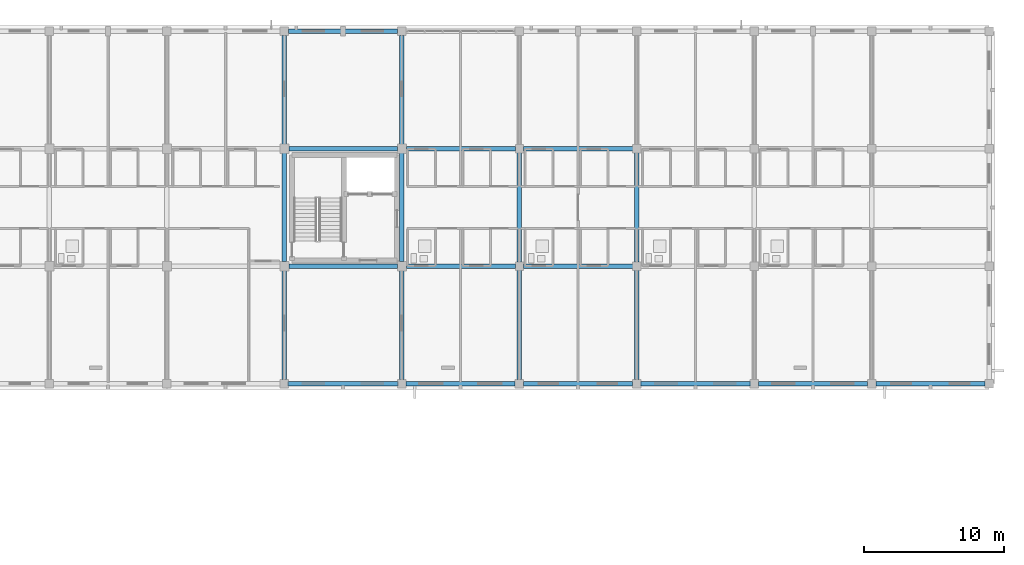
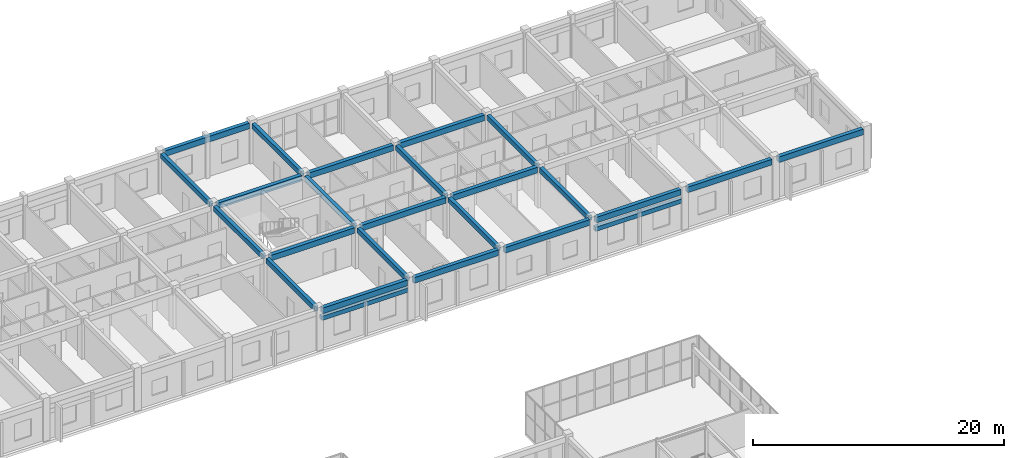
# One storey, part 49 of 81: 25 beams.
"""IFC4 building model written with IfcOpenShell, lengths in metres."""

from ifc_helpers import new_model, si_unit, direction, frame, origin, origin_2d, place, context, subcontext, project, spatial, rectangle, extrude, material, material_profile, profile_set, type_object, element, save


model = new_model("IFC4")

# Units and contexts
model_context = context("Model", 3, precision=1e-05, world=origin(), true_north=direction((0.0, 1.0)))
body_context = subcontext(model_context, "Body", "Model", "MODEL_VIEW")
ifc_project = project(units=[si_unit("LENGTHUNIT", "METRE"), si_unit("AREAUNIT", "SQUARE_METRE"), si_unit("VOLUMEUNIT", "CUBIC_METRE"), si_unit("PLANEANGLEUNIT", "RADIAN"), si_unit("MASSUNIT", "GRAM", prefix="KILO")], contexts=[model_context])

# Site, building, storey
site_placement = place(None, origin())
site = spatial("IfcSite", under=ifc_project, at=site_placement, CompositionType="ELEMENT")
building_placement = place(site_placement, origin())
building = spatial("IfcBuilding", under=site, at=building_placement, Name="Trelvath General Hospital", CompositionType="ELEMENT")
storey_placement = place(building_placement, frame((0.0, 0.0, 24.60009765625)))
storey = spatial("IfcBuildingStorey", under=building, at=storey_placement, Name="L06", CompositionType="ELEMENT", Elevation=24.60009765625)

# Beams
ifc_material_1 = material(Name="Concrete C35/45", Category="concrete")
ifc_material_profile_1 = material_profile(ifc_material_1, rectangle(XDim=0.320068359375, YDim=0.47998046875, at=origin_2d()), Name="RCB320x480")
ifc_profile_set_1 = profile_set([ifc_material_profile_1], Name="Concrete C35/45")
beam_type_1 = type_object("IfcBeamType", Name="Beam RC320x480", PredefinedType="BEAM", material=ifc_profile_set_1)
beam_1_placement = place(storey_placement, frame((84.0, 92.705078125, 3.679931640625), z_axis=(0.0, 1.0, 0.0), x_axis=(-1.0, 0.0, 0.0)))
element("IfcBeam", 1, at=beam_1_placement, inside=storey, type_object=beam_type_1, Name="Grid Beam BY-610L", PredefinedType="BEAM", context=body_context, shape_type="SweptSolid", body=[
    extrude(rectangle(XDim=0.320068359375, YDim=0.47998046875, at=origin_2d()), origin(), (0.0, 0.0, 1.0), 7.77490234375),
])
beam_2_placement = place(storey_placement, frame((84.0, 101.1201171875, 3.679931640625), z_axis=(0.0, 1.0, 0.0), x_axis=(-1.0, 0.0, 0.0)))
element("IfcBeam", 2, at=beam_2_placement, inside=storey, type_object=beam_type_1, Name="Grid Beam BY-610M", PredefinedType="BEAM", context=body_context, shape_type="SweptSolid", body=[
    extrude(rectangle(XDim=0.320068359375, YDim=0.47998046875, at=origin_2d()), origin(), (0.0, 0.0, 1.0), 7.759765625),
])
for number, where, z_axis, x_axis, name in (
    (3, (84.0, 109.52001953125, 3.679931640625), (0.0, 1.0, 0.0), (-1.0, 0.0, 0.0), "Grid Beam BY-610N"),
    (4, (92.39990234375, 92.705078125, 3.679931640625), (0.0, 1.0, 0.0), (-1.0, 0.0, 0.0), "Grid Beam BY-611L"),
):
    element("IfcBeam", number, at=place(storey_placement, frame(where, z_axis=z_axis, x_axis=x_axis)), inside=storey, type_object=beam_type_1, Name=name, PredefinedType="BEAM", context=body_context, shape_type="SweptSolid", body=[
        extrude(rectangle(XDim=0.320068359375, YDim=0.47998046875, at=origin_2d()), origin(), (0.0, 0.0, 1.0), 7.77490234375),
    ])
beam_3_placement = place(storey_placement, frame((92.39990234375, 101.1201171875, 3.679931640625), z_axis=(0.0, 1.0, 0.0), x_axis=(-1.0, 0.0, 0.0)))
element("IfcBeam", 5, at=beam_3_placement, inside=storey, type_object=beam_type_1, Name="Grid Beam BY-611M", PredefinedType="BEAM", context=body_context, shape_type="SweptSolid", body=[
    extrude(rectangle(XDim=0.320068359375, YDim=0.47998046875, at=origin_2d()), origin(), (0.0, 0.0, 1.0), 7.759765625),
])
beam_4_placement = place(storey_placement, frame((92.39990234375, 109.52001953125, 3.679931640625), z_axis=(0.0, 1.0, 0.0), x_axis=(-1.0, 0.0, 0.0)))
element("IfcBeam", 6, at=beam_4_placement, inside=storey, type_object=beam_type_1, Name="Grid Beam BY-611N", PredefinedType="BEAM", context=body_context, shape_type="SweptSolid", body=[
    extrude(rectangle(XDim=0.320068359375, YDim=0.47998046875, at=origin_2d()), origin(), (0.0, 0.0, 1.0), 7.77490234375),
])
beam_5_placement = place(storey_placement, frame((100.800048828125, 92.705078125, 3.679931640625), z_axis=(0.0, 1.0, 0.0), x_axis=(-1.0, 0.0, 0.0)))
element("IfcBeam", 7, at=beam_5_placement, inside=storey, type_object=beam_type_1, Name="Grid Beam BY-612L", PredefinedType="BEAM", context=body_context, shape_type="SweptSolid", body=[
    extrude(rectangle(XDim=0.320068359375, YDim=0.47998046875, at=origin_2d()), origin(), (0.0, 0.0, 1.0), 7.809814453125),
])
beam_6_placement = place(storey_placement, frame((100.800048828125, 101.0849609375, 3.679931640625), z_axis=(0.0, 1.0, 0.0), x_axis=(-1.0, 0.0, 0.0)))
element("IfcBeam", 8, at=beam_6_placement, inside=storey, type_object=beam_type_1, Name="Grid Beam BY-612M", PredefinedType="BEAM", context=body_context, shape_type="SweptSolid", body=[
    extrude(rectangle(XDim=0.320068359375, YDim=0.47998046875, at=origin_2d()), origin(), (0.0, 0.0, 1.0), 7.830078125),
])
beam_7_placement = place(storey_placement, frame((109.199951171875, 92.705078125, 3.679931640625), z_axis=(0.0, 1.0, 0.0), x_axis=(-1.0, 0.0, 0.0)))
element("IfcBeam", 9, at=beam_7_placement, inside=storey, type_object=beam_type_1, Name="Grid Beam BY-613L", PredefinedType="BEAM", context=body_context, shape_type="SweptSolid", body=[
    extrude(rectangle(XDim=0.320068359375, YDim=0.47998046875, at=origin_2d()), origin(), (0.0, 0.0, 1.0), 7.809814453125),
])
beam_8_placement = place(storey_placement, frame((109.199951171875, 101.0849609375, 3.679931640625), z_axis=(0.0, 1.0, 0.0), x_axis=(-1.0, 0.0, 0.0)))
element("IfcBeam", 10, at=beam_8_placement, inside=storey, type_object=beam_type_1, Name="Grid Beam BY-613M", PredefinedType="BEAM", context=body_context, shape_type="SweptSolid", body=[
    extrude(rectangle(XDim=0.320068359375, YDim=0.47998046875, at=origin_2d()), origin(), (0.0, 0.0, 1.0), 7.830078125),
])
ifc_material_2 = material(Name="Concrete C35/45", Category="concrete")
ifc_material_profile_2 = material_profile(ifc_material_2, rectangle(XDim=0.35009765625, YDim=0.550048828125, at=origin_2d()), Name="RCB350x550")
ifc_profile_set_2 = profile_set([ifc_material_profile_2], Name="Concrete C35/45")
beam_type_2 = type_object("IfcBeamType", Name="Beam RC350x550", PredefinedType="BEAM", material=ifc_profile_set_2)
beam_9_placement = place(storey_placement, frame((84.304931640625, 92.39990234375, 3.64501953125), z_axis=(1.0, 0.0, 0.0), x_axis=(0.0, 1.0, 0.0)))
element("IfcBeam", 11, at=beam_9_placement, inside=storey, type_object=beam_type_2, Name="Grid Beam BX-610L", PredefinedType="BEAM", context=body_context, shape_type="SweptSolid", body=[
    extrude(rectangle(XDim=0.35009765625, YDim=0.550048828125, at=origin_2d()), origin(), (0.0, 0.0, 1.0), 7.7900390625),
])
for number, where, z_axis, x_axis, name in (
    (12, (84.320068359375, 100.800048828125, 3.64501953125), (1.0, 0.0, 0.0), (0.0, 1.0, 0.0), "Grid Beam BX-610M"),
    (13, (84.320068359375, 109.199951171875, 3.64501953125), (1.0, 0.0, 0.0), (0.0, 1.0, 0.0), "Grid Beam BX-610N"),
):
    element("IfcBeam", number, at=place(storey_placement, frame(where, z_axis=z_axis, x_axis=x_axis)), inside=storey, type_object=beam_type_2, Name=name, PredefinedType="BEAM", context=body_context, shape_type="SweptSolid", body=[
        extrude(rectangle(XDim=0.35009765625, YDim=0.550048828125, at=origin_2d()), origin(), (0.0, 0.0, 1.0), 7.760009765625),
    ])
for number, where, z_axis, x_axis, name in (
    (14, (84.304931640625, 117.60009765625, 3.64501953125), (1.0, 0.0, 0.0), (0.0, 1.0, 0.0), "Grid Beam BX-610O"),
    (15, (92.705078125, 92.39990234375, 3.64501953125), (1.0, 0.0, 0.0), (0.0, 1.0, 0.0), "Grid Beam BX-611L"),
):
    element("IfcBeam", number, at=place(storey_placement, frame(where, z_axis=z_axis, x_axis=x_axis)), inside=storey, type_object=beam_type_2, Name=name, PredefinedType="BEAM", context=body_context, shape_type="SweptSolid", body=[
        extrude(rectangle(XDim=0.35009765625, YDim=0.550048828125, at=origin_2d()), origin(), (0.0, 0.0, 1.0), 7.7900390625),
    ])
for number, where, z_axis, x_axis, name in (
    (16, (92.719970703125, 100.800048828125, 3.64501953125), (1.0, 0.0, 0.0), (0.0, 1.0, 0.0), "Grid Beam BX-611M"),
    (17, (92.719970703125, 109.199951171875, 3.64501953125), (1.0, 0.0, 0.0), (0.0, 1.0, 0.0), "Grid Beam BX-611N"),
):
    element("IfcBeam", number, at=place(storey_placement, frame(where, z_axis=z_axis, x_axis=x_axis)), inside=storey, type_object=beam_type_2, Name=name, PredefinedType="BEAM", context=body_context, shape_type="SweptSolid", body=[
        extrude(rectangle(XDim=0.35009765625, YDim=0.550048828125, at=origin_2d()), origin(), (0.0, 0.0, 1.0), 7.794921875),
    ])
beam_10_placement = place(storey_placement, frame((101.10498046875, 92.39990234375, 3.64501953125), z_axis=(1.0, 0.0, 0.0), x_axis=(0.0, 1.0, 0.0)))
element("IfcBeam", 18, at=beam_10_placement, inside=storey, type_object=beam_type_2, Name="Grid Beam BX-612L", PredefinedType="BEAM", context=body_context, shape_type="SweptSolid", body=[
    extrude(rectangle(XDim=0.35009765625, YDim=0.550048828125, at=origin_2d()), origin(), (0.0, 0.0, 1.0), 7.7900390625),
])
for number, where, z_axis, x_axis, name in (
    (19, (101.0849609375, 100.800048828125, 3.64501953125), (1.0, 0.0, 0.0), (0.0, 1.0, 0.0), "Grid Beam BX-612M"),
    (20, (101.0849609375, 109.199951171875, 3.64501953125), (1.0, 0.0, 0.0), (0.0, 1.0, 0.0), "Grid Beam BX-612N"),
):
    element("IfcBeam", number, at=place(storey_placement, frame(where, z_axis=z_axis, x_axis=x_axis)), inside=storey, type_object=beam_type_2, Name=name, PredefinedType="BEAM", context=body_context, shape_type="SweptSolid", body=[
        extrude(rectangle(XDim=0.35009765625, YDim=0.550048828125, at=origin_2d()), origin(), (0.0, 0.0, 1.0), 7.830078125),
    ])
for number, where, z_axis, x_axis, name in (
    (21, (109.5048828125, 92.39990234375, 3.64501953125), (1.0, 0.0, 0.0), (0.0, 1.0, 0.0), "Grid Beam BX-613L"),
    (22, (117.905029296875, 92.39990234375, 3.64501953125), (1.0, 0.0, 0.0), (0.0, 1.0, 0.0), "Grid Beam BX-614L"),
    (23, (126.304931640625, 92.39990234375, 3.64501953125), (1.0, 0.0, 0.0), (0.0, 1.0, 0.0), "Grid Beam BX-615L"),
):
    element("IfcBeam", number, at=place(storey_placement, frame(where, z_axis=z_axis, x_axis=x_axis)), inside=storey, type_object=beam_type_2, Name=name, PredefinedType="BEAM", context=body_context, shape_type="SweptSolid", body=[
        extrude(rectangle(XDim=0.35009765625, YDim=0.550048828125, at=origin_2d()), origin(), (0.0, 0.0, 1.0), 7.7900390625),
    ])
ifc_material_3 = material(Name="Precast concrete C40/50", Category="concrete")
ifc_material_profile_3 = material_profile(ifc_material_3, rectangle(XDim=0.35009765625, YDim=0.419921875, at=origin_2d()), Name="PCL350x420")
ifc_profile_set_3 = profile_set([ifc_material_profile_3], Name="Precast concrete C40/50")
beam_type_3 = type_object("IfcBeamType", Name="Lintel PC350x420", PredefinedType="LINTEL", material=ifc_profile_set_3)
for number, where, z_axis, x_axis, name in (
    (24, (92.175048828125, 92.39990234375, 2.919921875), (-1.0, 0.0, 0.0), (0.0, -1.0, 0.0), "Precast Window Brow Lintel L06-586"),
    (25, (117.375, 92.39990234375, 2.77001953125), (-1.0, 0.0, 0.0), (0.0, -1.0, 0.0), "Precast Window Brow Lintel L06-599"),
):
    element("IfcBeam", number, at=place(storey_placement, frame(where, z_axis=z_axis, x_axis=x_axis)), inside=storey, type_object=beam_type_3, Name=name, PredefinedType="LINTEL", context=body_context, shape_type="SweptSolid", body=[
        extrude(rectangle(XDim=0.35009765625, YDim=0.419921875, at=origin_2d()), origin(), (0.0, 0.0, 1.0), 7.949951171875),
    ])

save(model, "model.ifc")
